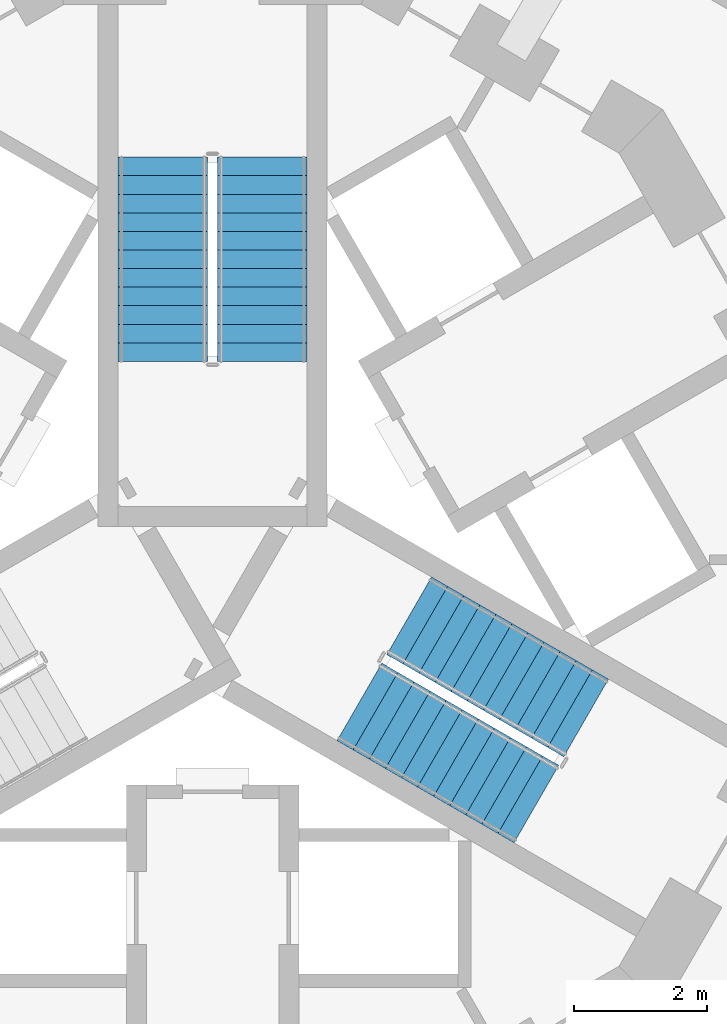
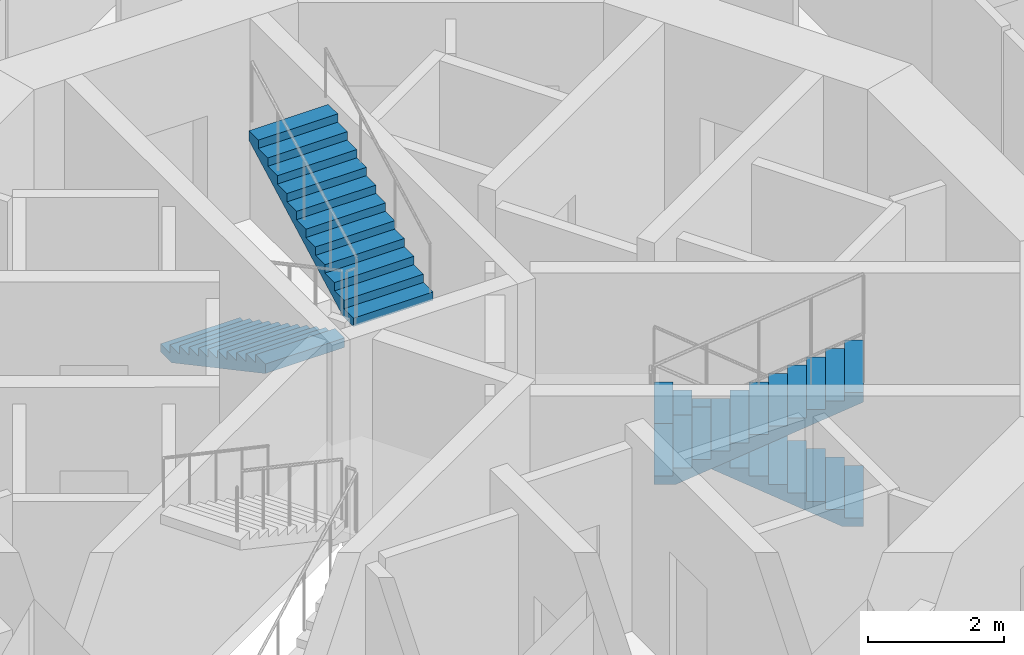
# One storey, part 11 of 18: 4 stair flights, 2 elements without a shape of their own.
"""IFC4 building model written with IfcOpenShell, lengths in metres."""

from ifc_helpers import new_model, si_unit, direction, frame, origin, place, context, subcontext, project, spatial, polyline, outline, extrude, material, type_object, element, aggregate, save


model = new_model("IFC4")

# Units and contexts
model_context = context("Model", 3, precision=1e-05, world=origin(), true_north=direction((0.0, 1.0)))
body_context = subcontext(model_context, "Body", "Model", "MODEL_VIEW")
ifc_project = project(units=[si_unit("LENGTHUNIT", "METRE"), si_unit("AREAUNIT", "SQUARE_METRE"), si_unit("VOLUMEUNIT", "CUBIC_METRE"), si_unit("PLANEANGLEUNIT", "RADIAN"), si_unit("MASSUNIT", "GRAM", prefix="KILO")], contexts=[model_context])

# Site, building, storey
site_placement = place(None, origin())
site = spatial("IfcSite", under=ifc_project, at=site_placement, CompositionType="ELEMENT")
building_placement = place(site_placement, origin())
building = spatial("IfcBuilding", under=site, at=building_placement, Name="Trine Commons Tower", CompositionType="ELEMENT")
storey_placement = place(building_placement, frame((0.0, 0.0, 175.5)))
storey = spatial("IfcBuildingStorey", under=building, at=storey_placement, Name="L45", CompositionType="ELEMENT", Elevation=175.5)

# Stair, stair flights
ifc_material = material(Name="Concrete C50/60", Category="concrete")
stair_type = type_object("IfcStairType", Name="Exit stair, dog-leg, 24 risers of 150 mm", PredefinedType="HALF_TURN_STAIR", material=ifc_material)
stair_1_placement = place(storey_placement, origin())
stair_1 = element("IfcStair", 1, at=stair_1_placement, inside=storey, type_object=stair_type, Name="L45 Exit stair ST1B", PredefinedType="HALF_TURN_STAIR")
stair_flight_type = type_object("IfcStairFlightType", Name="Stair flight, 1350 wide, 12 risers of 150 mm", PredefinedType="STRAIGHT", material=ifc_material)
stair_flight_1_placement = place(storey_placement, frame((79.25, 68.570556640625, 0.0), z_axis=(0.0, 0.0, 1.0), x_axis=(0.0, -1.0, 0.0)))
stair_flight_1 = element("IfcStairFlight", 2, at=stair_flight_1_placement, type_object=stair_flight_type, Name="ST1B flight 1", NumberOfRisers=12, NumberOfTreads=11, PredefinedType="STRAIGHT", RiserHeight=0.15, TreadLength=0.28, context=body_context, shape_type="SweptSolid", body=[
    extrude(outline(polyline([(0.0, 0.0), (0.0, 0.14990234375), (0.280029296875, 0.14990234375), (0.280029296875, 0.300048828125), (0.56005859375, 0.300048828125), (0.56005859375, 0.449951171875), (0.840087890625, 0.449951171875), (0.840087890625, 0.60009765625), (1.1201171875, 0.60009765625), (1.1201171875, 0.75), (1.39990234375, 0.75), (1.39990234375, 0.89990234375), (1.679931640625, 0.89990234375), (1.679931640625, 1.050048828125), (1.9599609375, 1.050048828125), (1.9599609375, 1.199951171875), (2.239990234375, 1.199951171875), (2.239990234375, 1.35009765625), (2.52001953125, 1.35009765625), (2.52001953125, 1.5), (2.800048828125, 1.5), (2.800048828125, 1.64990234375), (3.080078125, 1.64990234375), (3.080078125, 1.800048828125), (3.080078125, 1.47998046875), (0.3173828125, 0.0), (0.0, 0.0)])), frame((0.0, 0.675048828125, 0.0), z_axis=(0.0, -1.0, 0.0), x_axis=(1.0, 0.0, 0.0)), (0.0, 0.0, 1.0), 1.35009765625),
])
stair_flight_2_placement = place(storey_placement, frame((80.75, 65.490478515625, 1.800048828125), z_axis=(0.0, 0.0, 1.0), x_axis=(0.0, 1.0, 0.0)))
stair_flight_2 = element("IfcStairFlight", 3, at=stair_flight_2_placement, type_object=stair_flight_type, Name="ST1B flight 2", NumberOfRisers=12, NumberOfTreads=11, PredefinedType="STRAIGHT", RiserHeight=0.15, TreadLength=0.28, context=body_context, shape_type="SweptSolid", body=[
    extrude(outline(polyline([(0.0, 0.0), (0.0, 0.14990234375), (0.280029296875, 0.14990234375), (0.280029296875, 0.300048828125), (0.56005859375, 0.300048828125), (0.56005859375, 0.449951171875), (0.840087890625, 0.449951171875), (0.840087890625, 0.60009765625), (1.1201171875, 0.60009765625), (1.1201171875, 0.75), (1.39990234375, 0.75), (1.39990234375, 0.89990234375), (1.679931640625, 0.89990234375), (1.679931640625, 1.050048828125), (1.9599609375, 1.050048828125), (1.9599609375, 1.199951171875), (2.239990234375, 1.199951171875), (2.239990234375, 1.35009765625), (2.52001953125, 1.35009765625), (2.52001953125, 1.5), (2.800048828125, 1.5), (2.800048828125, 1.64990234375), (3.080078125, 1.64990234375), (3.080078125, 1.800048828125), (3.080078125, 1.47998046875), (0.3173828125, 0.0), (0.0, 0.0)])), frame((0.0, 0.675048828125, 0.0), z_axis=(0.0, -1.0, 0.0), x_axis=(1.0, 0.0, 0.0)), (0.0, 0.0, 1.0), 1.35009765625),
])
aggregate(stair_1, [stair_flight_1, stair_flight_2])

stair_2_placement = place(storey_placement, origin())
stair_2 = element("IfcStair", 4, at=stair_2_placement, inside=storey, type_object=stair_type, Name="L45 Exit stair ST3B", PredefinedType="HALF_TURN_STAIR")
stair_flight_3_placement = place(storey_placement, frame((85.63232421875, 60.1142578125, 0.0), z_axis=(0.0, 0.0, 1.0), x_axis=(-0.866025403784, 0.5, 0.0)))
stair_flight_3 = element("IfcStairFlight", 5, at=stair_flight_3_placement, type_object=stair_flight_type, Name="ST3B flight 1", NumberOfRisers=12, NumberOfTreads=11, PredefinedType="STRAIGHT", RiserHeight=0.15, TreadLength=0.28, context=body_context, shape_type="SweptSolid", body=[
    extrude(outline(polyline([(0.0, 0.0), (0.0, 0.14990234375), (0.280029296875, 0.14990234375), (0.280029296875, 0.300048828125), (0.56005859375, 0.300048828125), (0.56005859375, 0.449951171875), (0.840087890625, 0.449951171875), (0.840087890625, 0.60009765625), (1.1201171875, 0.60009765625), (1.1201171875, 0.75), (1.39990234375, 0.75), (1.39990234375, 0.89990234375), (1.679931640625, 0.89990234375), (1.679931640625, 1.050048828125), (1.9599609375, 1.050048828125), (1.9599609375, 1.199951171875), (2.239990234375, 1.199951171875), (2.239990234375, 1.35009765625), (2.52001953125, 1.35009765625), (2.52001953125, 1.5), (2.800048828125, 1.5), (2.800048828125, 1.64990234375), (3.080078125, 1.64990234375), (3.080078125, 1.800048828125), (3.080078125, 1.47998046875), (0.3173828125, 0.0), (0.0, 0.0)])), frame((0.0, 0.675048828125, 0.0), z_axis=(0.0, -1.0, 0.0), x_axis=(1.0, 0.0, 0.0)), (0.0, 0.0, 1.0), 1.35009765625),
])
stair_flight_4_placement = place(storey_placement, frame((82.21484375, 60.355224609375, 1.800048828125), z_axis=(0.0, 0.0, 1.0), x_axis=(0.866025403784, -0.5, 0.0)))
stair_flight_4 = element("IfcStairFlight", 6, at=stair_flight_4_placement, type_object=stair_flight_type, Name="ST3B flight 2", NumberOfRisers=12, NumberOfTreads=11, PredefinedType="STRAIGHT", RiserHeight=0.15, TreadLength=0.28, context=body_context, shape_type="SweptSolid", body=[
    extrude(outline(polyline([(0.0, 0.0), (0.0, 0.14990234375), (0.280029296875, 0.14990234375), (0.280029296875, 0.300048828125), (0.56005859375, 0.300048828125), (0.56005859375, 0.449951171875), (0.840087890625, 0.449951171875), (0.840087890625, 0.60009765625), (1.1201171875, 0.60009765625), (1.1201171875, 0.75), (1.39990234375, 0.75), (1.39990234375, 0.89990234375), (1.679931640625, 0.89990234375), (1.679931640625, 1.050048828125), (1.9599609375, 1.050048828125), (1.9599609375, 1.199951171875), (2.239990234375, 1.199951171875), (2.239990234375, 1.35009765625), (2.52001953125, 1.35009765625), (2.52001953125, 1.5), (2.800048828125, 1.5), (2.800048828125, 1.64990234375), (3.080078125, 1.64990234375), (3.080078125, 1.800048828125), (3.080078125, 1.47998046875), (0.3173828125, 0.0), (0.0, 0.0)])), frame((0.0, 0.675048828125, 0.0), z_axis=(0.0, -1.0, 0.0), x_axis=(1.0, 0.0, 0.0)), (0.0, 0.0, 1.0), 1.35009765625),
])
aggregate(stair_2, [stair_flight_3, stair_flight_4])

save(model, "model.ifc")
